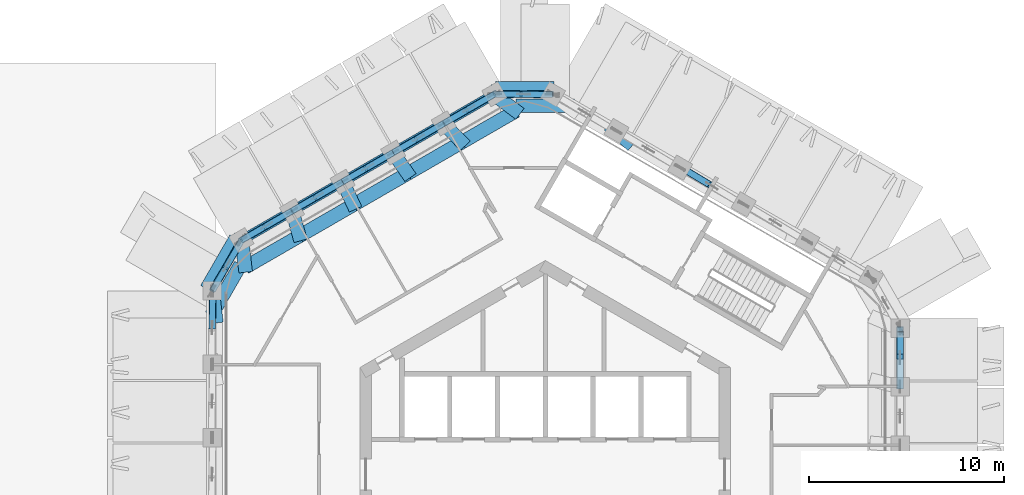
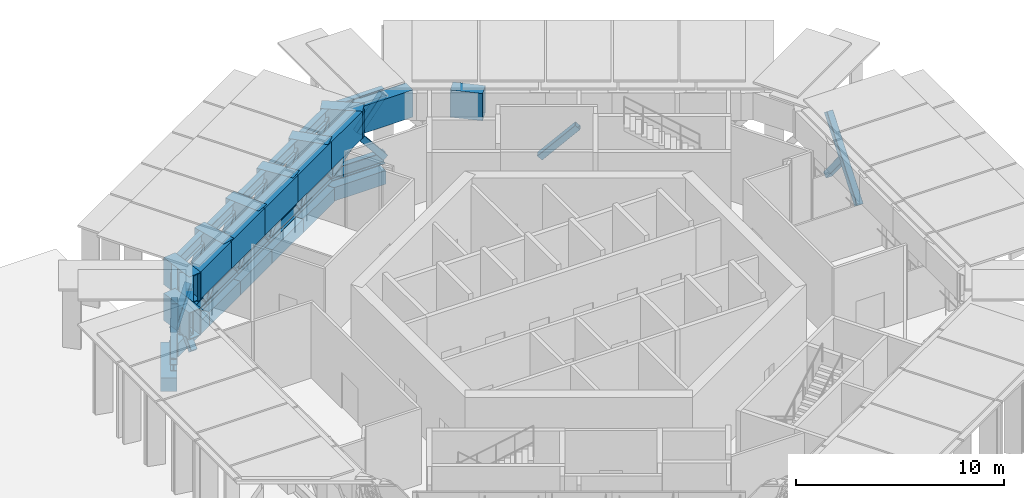
# One storey, part 4 of 15: 39 members, 22 beams.
"""IFC4 building model written with IfcOpenShell, lengths in metres."""

from ifc_helpers import new_model, si_unit, direction, frame, origin, origin_2d, place, context, subcontext, project, spatial, rectangle, hollow_rectangle, i_section, extrude, material, material_profile, profile_set, type_object, element, save


model = new_model("IFC4")

# Units and contexts
model_context = context("Model", 3, precision=1e-05, world=origin(), true_north=direction((0.0, 1.0)))
body_context = subcontext(model_context, "Body", "Model", "MODEL_VIEW")
ifc_project = project(units=[si_unit("LENGTHUNIT", "METRE"), si_unit("AREAUNIT", "SQUARE_METRE"), si_unit("VOLUMEUNIT", "CUBIC_METRE"), si_unit("PLANEANGLEUNIT", "RADIAN"), si_unit("MASSUNIT", "GRAM", prefix="KILO")], contexts=[model_context])

# Site, building, storey
site_placement = place(None, origin())
site = spatial("IfcSite", under=ifc_project, at=site_placement, CompositionType="ELEMENT")
building_placement = place(site_placement, origin())
building = spatial("IfcBuilding", under=site, at=building_placement, Name="Ayvan Gate Tower", CompositionType="ELEMENT")
storey_placement = place(building_placement, frame((0.0, 0.0, 214.10009765625)))
storey = spatial("IfcBuildingStorey", under=building, at=storey_placement, Name="L57", CompositionType="ELEMENT", Elevation=214.10009765625)

# Members
ifc_material_1 = material(Name="Steel S460NH", Category="steel")
ifc_material_profile_1 = material_profile(ifc_material_1, hollow_rectangle(XDim=0.35009765625, YDim=0.35009765625, WallThickness=0.01611328125, InnerFilletRadius=0.01611328125, OuterFilletRadius=0.02392578125, at=origin_2d()), Name="RHS 350x350x16")
ifc_profile_set_1 = profile_set([ifc_material_profile_1], Name="Steel S460NH")
member_type_1 = type_object("IfcMemberType", Name="Belt truss brace BT3 RHS 350x350x16", PredefinedType="BRACE", material=ifc_profile_set_1)
member_1_placement = place(storey_placement, frame((18.1865234375, 4.513916015625, 0.349853515625), z_axis=(0.0, 0.616185203455, 0.787601291926), x_axis=(-1.0, 0.0, 0.0)))
element("IfcMember", 1, at=member_1_placement, inside=storey, type_object=member_type_1, Name="BT3-DA-5", PredefinedType="BRACE", context=body_context, shape_type="SweptSolid", body=[
    extrude(hollow_rectangle(XDim=0.35009765625, YDim=0.35009765625, WallThickness=0.01611328125, InnerFilletRadius=0.01611328125, OuterFilletRadius=0.02392578125, at=origin_2d()), origin(), (0.0, 0.0, 1.0), 4.76123046875),
])
member_2_placement = place(storey_placement, frame((18.1865234375, 7.5234375, 0.349853515625), z_axis=(0.0, -0.631534263967, 0.77534796926), x_axis=(1.0, 0.0, 0.0)))
element("IfcMember", 2, at=member_2_placement, inside=storey, type_object=member_type_1, Name="BT3-DB-5", PredefinedType="BRACE", context=body_context, shape_type="SweptSolid", body=[
    extrude(hollow_rectangle(XDim=0.35009765625, YDim=0.35009765625, WallThickness=0.01611328125, InnerFilletRadius=0.01611328125, OuterFilletRadius=0.02392578125, at=origin_2d()), origin(), (0.0, 0.0, 1.0), 2.351318359375),
])
member_3_placement = place(storey_placement, frame((6.927978515625, 15.755615234375, 0.349853515625), z_axis=(0.607242891105, -0.364838503551, 0.705796668687), x_axis=(0.515007130116, 0.85718589345, 0.0)))
element("IfcMember", 3, at=member_3_placement, inside=storey, type_object=member_type_1, Name="BT3-DB-9", PredefinedType="BRACE", context=body_context, shape_type="SweptSolid", body=[
    extrude(hollow_rectangle(XDim=0.35009765625, YDim=0.35009765625, WallThickness=0.01611328125, InnerFilletRadius=0.01611328125, OuterFilletRadius=0.02392578125, at=origin_2d()), origin(), (0.0, 0.0, 1.0), 2.576416015625),
])
member_4_placement = place(storey_placement, frame((0.422119140625, 19.51171875, 0.349853515625), z_axis=(-0.632878048242, -0.007812686961, 0.774212075581), x_axis=(0.012343755257, -0.999923812951, 0.0)))
element("IfcMember", 4, at=member_4_placement, inside=storey, type_object=member_type_1, Name="BT3-DA-12", PredefinedType="BRACE", context=body_context, shape_type="SweptSolid", body=[
    extrude(hollow_rectangle(XDim=0.35009765625, YDim=0.35009765625, WallThickness=0.01611328125, InnerFilletRadius=0.01611328125, OuterFilletRadius=0.02392578125, at=origin_2d()), origin(), (0.0, 0.0, 1.0), 4.84375),
])
for number, where, z_axis, x_axis, name in (
    (5, (-2.577880859375, 19.51171875, 0.349853515625), (0.616283038234, -0.007955460907, 0.787484556945), (0.012907702566, 0.999916692137, 0.0), "BT3-DB-12"),
    (6, (-1.061767578125, 19.4921875, 2.287353515625), (0.616283038234, -0.007955460907, 0.787484556945), (0.012907702566, 0.999916692137, 0.0), "BT3-DC-12"),
):
    element("IfcMember", number, at=place(storey_placement, frame(where, z_axis=z_axis, x_axis=x_axis)), inside=storey, type_object=member_type_1, Name=name, PredefinedType="BRACE", context=body_context, shape_type="SweptSolid", body=[
        extrude(hollow_rectangle(XDim=0.35009765625, YDim=0.35009765625, WallThickness=0.01611328125, InnerFilletRadius=0.01611328125, OuterFilletRadius=0.02392578125, at=origin_2d()), origin(), (0.0, 0.0, 1.0), 2.301513671875),
    ])
member_5_placement = place(storey_placement, frame((-2.577880859375, 19.51171875, 0.349853515625), z_axis=(-0.54696167093, -0.315780012305, 0.775316654253), x_axis=(0.499989958791, -0.866031201001, 0.0)))
element("IfcMember", 7, at=member_5_placement, inside=storey, type_object=member_type_1, Name="BT3-DA-13", PredefinedType="BRACE", context=body_context, shape_type="SweptSolid", body=[
    extrude(hollow_rectangle(XDim=0.35009765625, YDim=0.35009765625, WallThickness=0.01611328125, InnerFilletRadius=0.01611328125, OuterFilletRadius=0.02392578125, at=origin_2d()), origin(), (0.0, 0.0, 1.0), 4.836669921875),
])
member_6_placement = place(storey_placement, frame((-5.18408203125, 18.007080078125, 0.349853515625), z_axis=(0.533601577849, 0.308066259047, 0.787632234075), x_axis=(-0.499989342298, 0.866031556924, 0.0)))
element("IfcMember", 8, at=member_6_placement, inside=storey, type_object=member_type_1, Name="BT3-DB-13", PredefinedType="BRACE", context=body_context, shape_type="SweptSolid", body=[
    extrude(hollow_rectangle(XDim=0.35009765625, YDim=0.35009765625, WallThickness=0.01611328125, InnerFilletRadius=0.01611328125, OuterFilletRadius=0.02392578125, at=origin_2d()), origin(), (0.0, 0.0, 1.0), 2.313232421875),
])
member_7_placement = place(storey_placement, frame((-3.86474609375, 18.7685546875, 2.296875), z_axis=(0.533580699209, 0.308118057169, 0.787626117062), x_axis=(-0.500067063991, 0.865986680909, 0.0)))
element("IfcMember", 9, at=member_7_placement, inside=storey, type_object=member_type_1, Name="BT3-DC-13", PredefinedType="BRACE", context=body_context, shape_type="SweptSolid", body=[
    extrude(hollow_rectangle(XDim=0.35009765625, YDim=0.35009765625, WallThickness=0.01611328125, InnerFilletRadius=0.01611328125, OuterFilletRadius=0.02392578125, at=origin_2d()), origin(), (0.0, 0.0, 1.0), 2.2890625),
])
member_8_placement = place(storey_placement, frame((-5.18408203125, 18.007080078125, 0.349853515625), z_axis=(-0.543662068796, -0.313892883494, 0.778397592907), x_axis=(0.500011280007, -0.866018891171, 0.0)))
element("IfcMember", 10, at=member_8_placement, inside=storey, type_object=member_type_1, Name="BT3-DA-14", PredefinedType="BRACE", context=body_context, shape_type="SweptSolid", body=[
    extrude(hollow_rectangle(XDim=0.35009765625, YDim=0.35009765625, WallThickness=0.01611328125, InnerFilletRadius=0.01611328125, OuterFilletRadius=0.02392578125, at=origin_2d()), origin(), (0.0, 0.0, 1.0), 4.817626953125),
])
member_9_placement = place(storey_placement, frame((-7.790283203125, 16.50244140625, 0.349853515625), z_axis=(0.537017146838, 0.309975252696, 0.784555878646), x_axis=(-0.499913221443, 0.866075499611, 0.0)))
element("IfcMember", 11, at=member_9_placement, inside=storey, type_object=member_type_1, Name="BT3-DB-14", PredefinedType="BRACE", context=body_context, shape_type="SweptSolid", body=[
    extrude(hollow_rectangle(XDim=0.35009765625, YDim=0.35009765625, WallThickness=0.01611328125, InnerFilletRadius=0.01611328125, OuterFilletRadius=0.02392578125, at=origin_2d()), origin(), (0.0, 0.0, 1.0), 2.32275390625),
])
member_10_placement = place(storey_placement, frame((-6.45751953125, 17.271728515625, 2.296630859375), z_axis=(0.536956568849, 0.310064535009, 0.784562060834), x_axis=(-0.500063520245, 0.865988727248, 0.0)))
element("IfcMember", 12, at=member_10_placement, inside=storey, type_object=member_type_1, Name="BT3-DC-14", PredefinedType="BRACE", context=body_context, shape_type="SweptSolid", body=[
    extrude(hollow_rectangle(XDim=0.35009765625, YDim=0.35009765625, WallThickness=0.01611328125, InnerFilletRadius=0.01611328125, OuterFilletRadius=0.02392578125, at=origin_2d()), origin(), (0.0, 0.0, 1.0), 2.29833984375),
])
member_11_placement = place(storey_placement, frame((-7.790283203125, 16.50244140625, 0.349853515625), z_axis=(-0.540350492875, -0.312020485152, 0.78145029381), x_axis=(0.50005887527, -0.865991409463, 0.0)))
element("IfcMember", 13, at=member_11_placement, inside=storey, type_object=member_type_1, Name="BT3-DA-15", PredefinedType="BRACE", context=body_context, shape_type="SweptSolid", body=[
    extrude(hollow_rectangle(XDim=0.35009765625, YDim=0.35009765625, WallThickness=0.01611328125, InnerFilletRadius=0.01611328125, OuterFilletRadius=0.02392578125, at=origin_2d()), origin(), (0.0, 0.0, 1.0), 4.798828125),
])
member_12_placement = place(storey_placement, frame((-10.396240234375, 14.99755859375, 0.349853515625), z_axis=(0.540300241283, 0.311973400314, 0.781503836693), x_axis=(-0.500037157592, 0.866003949776, 0.0)))
element("IfcMember", 14, at=member_12_placement, inside=storey, type_object=member_type_1, Name="BT3-DB-15", PredefinedType="BRACE", context=body_context, shape_type="SweptSolid", body=[
    extrude(hollow_rectangle(XDim=0.35009765625, YDim=0.35009765625, WallThickness=0.01611328125, InnerFilletRadius=0.01611328125, OuterFilletRadius=0.02392578125, at=origin_2d()), origin(), (0.0, 0.0, 1.0), 2.33203125),
])
member_13_placement = place(storey_placement, frame((-9.05029296875, 15.77490234375, 2.29638671875), z_axis=(0.540367158358, 0.311969998042, 0.781458926937), x_axis=(-0.499986626058, 0.866033125095, 0.0)))
element("IfcMember", 15, at=member_13_placement, inside=storey, type_object=member_type_1, Name="BT3-DC-15", PredefinedType="BRACE", context=body_context, shape_type="SweptSolid", body=[
    extrude(hollow_rectangle(XDim=0.35009765625, YDim=0.35009765625, WallThickness=0.01611328125, InnerFilletRadius=0.01611328125, OuterFilletRadius=0.02392578125, at=origin_2d()), origin(), (0.0, 0.0, 1.0), 2.307861328125),
])
member_14_placement = place(storey_placement, frame((-10.396240234375, 14.99755859375, 0.349853515625), z_axis=(-0.537016922782, -0.310033547773, 0.784532997331), x_axis=(0.499983892715, -0.86603470313, 0.0)))
element("IfcMember", 16, at=member_14_placement, inside=storey, type_object=member_type_1, Name="BT3-DA-16", PredefinedType="BRACE", context=body_context, shape_type="SweptSolid", body=[
    extrude(hollow_rectangle(XDim=0.35009765625, YDim=0.35009765625, WallThickness=0.01611328125, InnerFilletRadius=0.01611328125, OuterFilletRadius=0.02392578125, at=origin_2d()), origin(), (0.0, 0.0, 1.0), 4.780029296875),
])
member_15_placement = place(storey_placement, frame((-13.00244140625, 13.492919921875, 0.349853515625), z_axis=(0.54361754326, 0.313930269036, 0.778413612961), x_axis=(-0.500086656873, 0.865975366634, 0.0)))
element("IfcMember", 17, at=member_15_placement, inside=storey, type_object=member_type_1, Name="BT3-DB-16", PredefinedType="BRACE", context=body_context, shape_type="SweptSolid", body=[
    extrude(hollow_rectangle(XDim=0.35009765625, YDim=0.35009765625, WallThickness=0.01611328125, InnerFilletRadius=0.01611328125, OuterFilletRadius=0.02392578125, at=origin_2d()), origin(), (0.0, 0.0, 1.0), 2.341552734375),
])
member_16_placement = place(storey_placement, frame((-11.64306640625, 14.27783203125, 2.296142578125), z_axis=(0.543662379424, 0.313870199284, 0.778406523098), x_axis=(-0.49998396455, 0.866034661658, 0.0)))
element("IfcMember", 18, at=member_16_placement, inside=storey, type_object=member_type_1, Name="BT3-DC-16", PredefinedType="BRACE", context=body_context, shape_type="SweptSolid", body=[
    extrude(hollow_rectangle(XDim=0.35009765625, YDim=0.35009765625, WallThickness=0.01611328125, InnerFilletRadius=0.01611328125, OuterFilletRadius=0.02392578125, at=origin_2d()), origin(), (0.0, 0.0, 1.0), 2.317138671875),
])
member_17_placement = place(storey_placement, frame((-13.00244140625, 13.492919921875, 0.349853515625), z_axis=(-0.533635254222, -0.308069626921, 0.787608100784), x_axis=(0.499969776107, -0.866042852854, 0.0)))
element("IfcMember", 19, at=member_17_placement, inside=storey, type_object=member_type_1, Name="BT3-DA-17", PredefinedType="BRACE", context=body_context, shape_type="SweptSolid", body=[
    extrude(hollow_rectangle(XDim=0.35009765625, YDim=0.35009765625, WallThickness=0.01611328125, InnerFilletRadius=0.01611328125, OuterFilletRadius=0.02392578125, at=origin_2d()), origin(), (0.0, 0.0, 1.0), 4.76123046875),
])
member_18_placement = place(storey_placement, frame((-15.608642578125, 11.98828125, 0.349853515625), z_axis=(0.546912598104, 0.315770117873, 0.775355300939), x_axis=(-0.500011854745, 0.866018559336, 0.0)))
element("IfcMember", 20, at=member_18_placement, inside=storey, type_object=member_type_1, Name="BT3-DB-17", PredefinedType="BRACE", context=body_context, shape_type="SweptSolid", body=[
    extrude(hollow_rectangle(XDim=0.35009765625, YDim=0.35009765625, WallThickness=0.01611328125, InnerFilletRadius=0.01611328125, OuterFilletRadius=0.02392578125, at=origin_2d()), origin(), (0.0, 0.0, 1.0), 2.35107421875),
])
member_19_placement = place(storey_placement, frame((-14.23583984375, 12.781005859375, 2.2958984375), z_axis=(0.546991764358, 0.31572956435, 0.775315969086), x_axis=(-0.49990941631, 0.866077695986, 0.0)))
element("IfcMember", 21, at=member_19_placement, inside=storey, type_object=member_type_1, Name="BT3-DC-17", PredefinedType="BRACE", context=body_context, shape_type="SweptSolid", body=[
    extrude(hollow_rectangle(XDim=0.35009765625, YDim=0.35009765625, WallThickness=0.01611328125, InnerFilletRadius=0.01611328125, OuterFilletRadius=0.02392578125, at=origin_2d()), origin(), (0.0, 0.0, 1.0), 2.32666015625),
])
member_20_placement = place(storey_placement, frame((-15.608642578125, 11.98828125, 0.349853515625), z_axis=(-0.301260395949, -0.537664699169, 0.787501647681), x_axis=(0.872389670264, -0.488811071086, 0.0)))
element("IfcMember", 22, at=member_20_placement, inside=storey, type_object=member_type_1, Name="BT3-DA-18", PredefinedType="BRACE", context=body_context, shape_type="SweptSolid", body=[
    extrude(hollow_rectangle(XDim=0.35009765625, YDim=0.35009765625, WallThickness=0.01611328125, InnerFilletRadius=0.01611328125, OuterFilletRadius=0.02392578125, at=origin_2d()), origin(), (0.0, 0.0, 1.0), 4.761962890625),
])
member_21_placement = place(storey_placement, frame((-17.108642578125, 9.39013671875, 0.349853515625), z_axis=(0.323195051772, 0.544251712465, 0.774167315242), x_axis=(-0.859823119115, 0.510592013094, 0.0)))
element("IfcMember", 23, at=member_21_placement, inside=storey, type_object=member_type_1, Name="BT3-DB-18", PredefinedType="BRACE", context=body_context, shape_type="SweptSolid", body=[
    extrude(hollow_rectangle(XDim=0.35009765625, YDim=0.35009765625, WallThickness=0.01611328125, InnerFilletRadius=0.01611328125, OuterFilletRadius=0.02392578125, at=origin_2d()), origin(), (0.0, 0.0, 1.0), 2.342529296875),
])
member_22_placement = place(storey_placement, frame((-16.30029296875, 10.75146484375, 2.286376953125), z_axis=(0.323213384319, 0.544178355218, 0.774211228225), x_axis=(-0.859780184011, 0.510664307722, 0.0)))
element("IfcMember", 24, at=member_22_placement, inside=storey, type_object=member_type_1, Name="BT3-DC-18", PredefinedType="BRACE", context=body_context, shape_type="SweptSolid", body=[
    extrude(hollow_rectangle(XDim=0.35009765625, YDim=0.35009765625, WallThickness=0.01611328125, InnerFilletRadius=0.01611328125, OuterFilletRadius=0.02392578125, at=origin_2d()), origin(), (0.0, 0.0, 1.0), 2.34228515625),
])
member_23_placement = place(storey_placement, frame((-17.0751953125, 7.58056640625, 2.27392578125), z_axis=(0.012311894624, 0.711176386408, 0.702905800706), x_axis=(-0.999850180784, 0.017309419014, 0.0)))
element("IfcMember", 25, at=member_23_placement, inside=storey, type_object=member_type_1, Name="BT3-DC-19", PredefinedType="BRACE", context=body_context, shape_type="SweptSolid", body=[
    extrude(hollow_rectangle(XDim=0.35009765625, YDim=0.35009765625, WallThickness=0.01611328125, InnerFilletRadius=0.01611328125, OuterFilletRadius=0.02392578125, at=origin_2d()), origin(), (0.0, 0.0, 1.0), 2.59765625),
])
ifc_material_2 = material(Name="Steel S460ML", Category="steel")
ifc_material_profile_2 = material_profile(ifc_material_2, i_section(OverallWidth=0.300048828125, OverallDepth=0.699951171875, WebThickness=0.01708984375, FlangeThickness=0.031982421875, FilletRadius=0.027099609375, at=origin_2d()), Name="HE 700 B")
ifc_profile_set_2 = profile_set([ifc_material_profile_2], Name="Steel S460ML")
member_type_2 = type_object("IfcMemberType", Name="Belt truss chord BT3 HE 700 B", PredefinedType="CHORD", material=ifc_profile_set_2)
for number, where, z_axis, x_axis, name in (
    (26, (0.422119140625, 19.51171875, 0.349853515625), (-1.0, 0.0, 0.0), (0.0, -1.0, 0.0), "BT3-BC-12"),
    (27, (0.356689453125, 19.473876953125, 4.099853515625), (-1.0, 0.0, 0.0), (0.0, -1.0, 0.0), "BT3-TC-12"),
):
    element("IfcMember", number, at=place(storey_placement, frame(where, z_axis=z_axis, x_axis=x_axis)), inside=storey, type_object=member_type_2, Name=name, PredefinedType="CHORD", context=body_context, shape_type="SweptSolid", body=[
        extrude(i_section(OverallWidth=0.300048828125, OverallDepth=0.699951171875, WebThickness=0.01708984375, FlangeThickness=0.031982421875, FilletRadius=0.027099609375, at=origin_2d()), origin(), (0.0, 0.0, 1.0), 3.0),
    ])
member_24_placement = place(storey_placement, frame((-2.577880859375, 19.51171875, 0.349853515625), z_axis=(-0.866032925658, -0.499986971506, 0.0), x_axis=(0.499986971506, -0.866032925658, 0.0)))
element("IfcMember", 28, at=member_24_placement, inside=storey, type_object=member_type_2, Name="BT3-BC-13", PredefinedType="CHORD", context=body_context, shape_type="SweptSolid", body=[
    extrude(i_section(OverallWidth=0.300048828125, OverallDepth=0.699951171875, WebThickness=0.01708984375, FlangeThickness=0.031982421875, FilletRadius=0.027099609375, at=origin_2d()), origin(), (0.0, 0.0, 1.0), 3.00927734375),
])
member_25_placement = place(storey_placement, frame((-2.643310546875, 19.473876953125, 4.099853515625), z_axis=(-0.866040933244, -0.499973101223, 0.0), x_axis=(0.499973101223, -0.866040933244, 0.0)))
element("IfcMember", 29, at=member_25_placement, inside=storey, type_object=member_type_2, Name="BT3-TC-13", PredefinedType="CHORD", context=body_context, shape_type="SweptSolid", body=[
    extrude(i_section(OverallWidth=0.300048828125, OverallDepth=0.699951171875, WebThickness=0.01708984375, FlangeThickness=0.031982421875, FilletRadius=0.027099609375, at=origin_2d()), origin(), (0.0, 0.0, 1.0), 2.979248046875),
])
member_26_placement = place(storey_placement, frame((-5.18408203125, 18.007080078125, 0.349853515625), z_axis=(-0.866032925658, -0.499986971506, 0.0), x_axis=(0.499986971506, -0.866032925658, 0.0)))
element("IfcMember", 30, at=member_26_placement, inside=storey, type_object=member_type_2, Name="BT3-BC-14", PredefinedType="CHORD", context=body_context, shape_type="SweptSolid", body=[
    extrude(i_section(OverallWidth=0.300048828125, OverallDepth=0.699951171875, WebThickness=0.01708984375, FlangeThickness=0.031982421875, FilletRadius=0.027099609375, at=origin_2d()), origin(), (0.0, 0.0, 1.0), 3.00927734375),
])
member_27_placement = place(storey_placement, frame((-5.223388671875, 17.984375, 4.099853515625), z_axis=(-0.866020445925, -0.500008587166, 0.0), x_axis=(0.500008587166, -0.866020445925, 0.0)))
element("IfcMember", 31, at=member_27_placement, inside=storey, type_object=member_type_2, Name="BT3-TC-14", PredefinedType="CHORD", context=body_context, shape_type="SweptSolid", body=[
    extrude(i_section(OverallWidth=0.300048828125, OverallDepth=0.699951171875, WebThickness=0.01708984375, FlangeThickness=0.031982421875, FilletRadius=0.027099609375, at=origin_2d()), origin(), (0.0, 0.0, 1.0), 2.97900390625),
])
member_28_placement = place(storey_placement, frame((-7.790283203125, 16.50244140625, 0.349853515625), z_axis=(-0.865977509449, -0.500082946248, 0.0), x_axis=(0.500082946248, -0.865977509449, 0.0)))
element("IfcMember", 32, at=member_28_placement, inside=storey, type_object=member_type_2, Name="BT3-BC-15", PredefinedType="CHORD", context=body_context, shape_type="SweptSolid", body=[
    extrude(i_section(OverallWidth=0.300048828125, OverallDepth=0.699951171875, WebThickness=0.01708984375, FlangeThickness=0.031982421875, FilletRadius=0.027099609375, at=origin_2d()), origin(), (0.0, 0.0, 1.0), 3.00927734375),
])
member_29_placement = place(storey_placement, frame((-7.80322265625, 16.494873046875, 4.099853515625), z_axis=(-0.866005448672, -0.500034561676, 0.0), x_axis=(0.500034561676, -0.866005448672, 0.0)))
element("IfcMember", 33, at=member_29_placement, inside=storey, type_object=member_type_2, Name="BT3-TC-15", PredefinedType="CHORD", context=body_context, shape_type="SweptSolid", body=[
    extrude(i_section(OverallWidth=0.300048828125, OverallDepth=0.699951171875, WebThickness=0.01708984375, FlangeThickness=0.031982421875, FilletRadius=0.027099609375, at=origin_2d()), origin(), (0.0, 0.0, 1.0), 2.979248046875),
])
member_30_placement = place(storey_placement, frame((-10.396240234375, 14.99755859375, 0.349853515625), z_axis=(-0.866032925658, -0.499986971506, 0.0), x_axis=(0.499986971506, -0.866032925658, 0.0)))
element("IfcMember", 34, at=member_30_placement, inside=storey, type_object=member_type_2, Name="BT3-BC-16", PredefinedType="CHORD", context=body_context, shape_type="SweptSolid", body=[
    extrude(i_section(OverallWidth=0.300048828125, OverallDepth=0.699951171875, WebThickness=0.01708984375, FlangeThickness=0.031982421875, FilletRadius=0.027099609375, at=origin_2d()), origin(), (0.0, 0.0, 1.0), 3.00927734375),
])
member_31_placement = place(storey_placement, frame((-10.38330078125, 15.005126953125, 4.099853515625), z_axis=(-0.866020445925, -0.500008587166, 0.0), x_axis=(0.500008587166, -0.866020445925, 0.0)))
element("IfcMember", 35, at=member_31_placement, inside=storey, type_object=member_type_2, Name="BT3-TC-16", PredefinedType="CHORD", context=body_context, shape_type="SweptSolid", body=[
    extrude(i_section(OverallWidth=0.300048828125, OverallDepth=0.699951171875, WebThickness=0.01708984375, FlangeThickness=0.031982421875, FilletRadius=0.027099609375, at=origin_2d()), origin(), (0.0, 0.0, 1.0), 2.97900390625),
])
member_32_placement = place(storey_placement, frame((-13.00244140625, 13.492919921875, 0.349853515625), z_axis=(-0.866032925658, -0.499986971506, 0.0), x_axis=(0.499986971506, -0.866032925658, 0.0)))
element("IfcMember", 36, at=member_32_placement, inside=storey, type_object=member_type_2, Name="BT3-BC-17", PredefinedType="CHORD", context=body_context, shape_type="SweptSolid", body=[
    extrude(i_section(OverallWidth=0.300048828125, OverallDepth=0.699951171875, WebThickness=0.01708984375, FlangeThickness=0.031982421875, FilletRadius=0.027099609375, at=origin_2d()), origin(), (0.0, 0.0, 1.0), 3.00927734375),
])
member_33_placement = place(storey_placement, frame((-12.963134765625, 13.515625, 4.099853515625), z_axis=(-0.866040933244, -0.499973101223, 0.0), x_axis=(0.499973101223, -0.866040933244, 0.0)))
element("IfcMember", 37, at=member_33_placement, inside=storey, type_object=member_type_2, Name="BT3-TC-17", PredefinedType="CHORD", context=body_context, shape_type="SweptSolid", body=[
    extrude(i_section(OverallWidth=0.300048828125, OverallDepth=0.699951171875, WebThickness=0.01708984375, FlangeThickness=0.031982421875, FilletRadius=0.027099609375, at=origin_2d()), origin(), (0.0, 0.0, 1.0), 2.979248046875),
])
for number, where, z_axis, x_axis, name in (
    (38, (-15.608642578125, 11.98828125, 0.349853515625), (-0.499990139034, -0.866031096941, 0.0), (0.866031096941, -0.499990139034, 0.0), "BT3-BC-18"),
    (39, (-15.543212890625, 12.026123046875, 4.099853515625), (-0.499990139034, -0.866031096941, 0.0), (0.866031096941, -0.499990139034, 0.0), "BT3-TC-18"),
):
    element("IfcMember", number, at=place(storey_placement, frame(where, z_axis=z_axis, x_axis=x_axis)), inside=storey, type_object=member_type_2, Name=name, PredefinedType="CHORD", context=body_context, shape_type="SweptSolid", body=[
        extrude(i_section(OverallWidth=0.300048828125, OverallDepth=0.699951171875, WebThickness=0.01708984375, FlangeThickness=0.031982421875, FilletRadius=0.027099609375, at=origin_2d()), origin(), (0.0, 0.0, 1.0), 3.0),
    ])

# Beams
ifc_material_3 = material(Name="Concrete C40/50", Category="concrete")
ifc_material_profile_3 = material_profile(ifc_material_3, rectangle(XDim=0.800048828125, YDim=0.800048828125, at=origin_2d()), Name="RC 800x800")
ifc_profile_set_3 = profile_set([ifc_material_profile_3], Name="Concrete C40/50")
beam_type_1 = type_object("IfcBeamType", Name="Corner spandrel beam RC 800x800 C40/50", PredefinedType="BEAM", material=ifc_profile_set_3)
beam_1_placement = place(storey_placement, frame((0.442138671875, 19.7431640625, -0.800048828125), z_axis=(-1.0, 0.0, 0.0), x_axis=(0.0, -1.0, 0.0)))
element("IfcBeam", 40, at=beam_1_placement, inside=storey, type_object=beam_type_1, Name="SB-L57-12", PredefinedType="BEAM", context=body_context, shape_type="SweptSolid", body=[
    extrude(rectangle(XDim=0.800048828125, YDim=0.800048828125, at=origin_2d()), origin(), (0.0, 0.0, 1.0), 3.0),
])
beam_2_placement = place(storey_placement, frame((-15.8193359375, 12.086669921875, -0.800048828125), z_axis=(-0.50002537861, -0.866010750942, 0.0), x_axis=(0.866010750942, -0.50002537861, 0.0)))
element("IfcBeam", 41, at=beam_2_placement, inside=storey, type_object=beam_type_1, Name="SB-L57-18", PredefinedType="BEAM", context=body_context, shape_type="SweptSolid", body=[
    extrude(rectangle(XDim=0.800048828125, YDim=0.800048828125, at=origin_2d()), origin(), (0.0, 0.0, 1.0), 2.999755859375),
])
ifc_material_profile_4 = material_profile(ifc_material_3, rectangle(XDim=0.5, YDim=0.800048828125, at=origin_2d()), Name="RC 500x800")
ifc_profile_set_4 = profile_set([ifc_material_profile_4], Name="Concrete C40/50")
beam_type_2 = type_object("IfcBeamType", Name="Spandrel beam RC 500x800 C40/50", PredefinedType="BEAM", material=ifc_profile_set_4)
for number, where, z_axis, x_axis, name in (
    (42, (-2.557861328125, 19.523193359375, -0.800048828125), (-0.866014522945, -0.500018845694, 0.0), (0.500018845694, -0.866014522945, 0.0), "SB-L57-13"),
    (43, (-5.171875, 18.013916015625, -0.800048828125), (-0.8660347431, -0.499983823482, 0.0), (0.499983823482, -0.8660347431, 0.0), "SB-L57-14"),
    (44, (-7.7861328125, 16.504638671875, -0.800048828125), (-0.8660347431, -0.499983823482, 0.0), (0.499983823482, -0.8660347431, 0.0), "SB-L57-15"),
    (45, (-10.400390625, 14.995361328125, -0.800048828125), (-0.8660347431, -0.499983823482, 0.0), (0.499983823482, -0.8660347431, 0.0), "SB-L57-16"),
    (46, (-13.0146484375, 13.486083984375, -0.800048828125), (-0.866014522945, -0.500018845694, 0.0), (0.500018845694, -0.866014522945, 0.0), "SB-L57-17"),
):
    element("IfcBeam", number, at=place(storey_placement, frame(where, z_axis=z_axis, x_axis=x_axis)), inside=storey, type_object=beam_type_2, Name=name, PredefinedType="BEAM", context=body_context, shape_type="SweptSolid", body=[
        extrude(rectangle(XDim=0.5, YDim=0.800048828125, at=origin_2d()), origin(), (0.0, 0.0, 1.0), 3.0185546875),
    ])
ifc_material_profile_5 = material_profile(ifc_material_2, hollow_rectangle(XDim=0.699951171875, YDim=1.60009765625, WallThickness=0.044921875, at=origin_2d()), Name="BOX 700x1600x45")
ifc_profile_set_5 = profile_set([ifc_material_profile_5], Name="Steel S460ML")
beam_type_3 = type_object("IfcBeamType", Name="Transfer ring girder BOX 700x1600x45", PredefinedType="BEAM", material=ifc_profile_set_5)
beam_3_placement = place(storey_placement, frame((1.5, 18.904052734375, 3.64990234375), z_axis=(-1.0, 0.0, 0.0), x_axis=(0.0, -1.0, 0.0)))
element("IfcBeam", 47, at=beam_3_placement, inside=storey, type_object=beam_type_3, Name="TR-L57-12", PredefinedType="BEAM", context=body_context, shape_type="SweptSolid", body=[
    extrude(hollow_rectangle(XDim=0.699951171875, YDim=1.60009765625, WallThickness=0.044921875, at=origin_2d()), origin(), (0.0, 0.0, 1.0), 3.0),
])
beam_4_placement = place(storey_placement, frame((-1.5, 18.634033203125, 3.64990234375), z_axis=(-0.866009384889, -0.500027744514, 0.0), x_axis=(0.500027744514, -0.866009384889, 0.0)))
element("IfcBeam", 48, at=beam_4_placement, inside=storey, type_object=beam_type_3, Name="TR-L57-13", PredefinedType="BEAM", context=body_context, shape_type="SweptSolid", body=[
    extrude(hollow_rectangle(XDim=0.699951171875, YDim=1.60009765625, WallThickness=0.044921875, at=origin_2d()), origin(), (0.0, 0.0, 1.0), 3.207275390625),
])
beam_5_placement = place(storey_placement, frame((-4.277587890625, 17.0302734375, 3.64990234375), z_axis=(-0.866023315909, -0.500003616288, 0.0), x_axis=(0.500003616288, -0.866023315909, 0.0)))
element("IfcBeam", 49, at=beam_5_placement, inside=storey, type_object=beam_type_3, Name="TR-L57-14", PredefinedType="BEAM", context=body_context, shape_type="SweptSolid", body=[
    extrude(hollow_rectangle(XDim=0.699951171875, YDim=1.60009765625, WallThickness=0.044921875, at=origin_2d()), origin(), (0.0, 0.0, 1.0), 3.20703125),
])
for number, where, z_axis, x_axis, name in (
    (50, (-7.054931640625, 15.4267578125, 3.64990234375), (-0.866042346109, -0.499970653885, 0.0), (0.499970653885, -0.866042346109, 0.0), "TR-L57-15"),
    (51, (-9.83251953125, 13.8232421875, 3.64990234375), (-0.866042346109, -0.499970653885, 0.0), (0.499970653885, -0.866042346109, 0.0), "TR-L57-16"),
):
    element("IfcBeam", number, at=place(storey_placement, frame(where, z_axis=z_axis, x_axis=x_axis)), inside=storey, type_object=beam_type_3, Name=name, PredefinedType="BEAM", context=body_context, shape_type="SweptSolid", body=[
        extrude(hollow_rectangle(XDim=0.699951171875, YDim=1.60009765625, WallThickness=0.044921875, at=origin_2d()), origin(), (0.0, 0.0, 1.0), 3.207275390625),
    ])
beam_6_placement = place(storey_placement, frame((-12.610107421875, 12.2197265625, 3.64990234375), z_axis=(-0.865990351068, -0.500060708172, 0.0), x_axis=(0.500060708172, -0.865990351068, 0.0)))
element("IfcBeam", 52, at=beam_6_placement, inside=storey, type_object=beam_type_3, Name="TR-L57-17", PredefinedType="BEAM", context=body_context, shape_type="SweptSolid", body=[
    extrude(hollow_rectangle(XDim=0.699951171875, YDim=1.60009765625, WallThickness=0.044921875, at=origin_2d()), origin(), (0.0, 0.0, 1.0), 3.20703125),
])
beam_7_placement = place(storey_placement, frame((-15.621337890625, 10.7509765625, 3.64990234375), z_axis=(-0.499990139034, -0.866031096941, 0.0), x_axis=(0.866031096941, -0.499990139034, 0.0)))
element("IfcBeam", 53, at=beam_7_placement, inside=storey, type_object=beam_type_3, Name="TR-L57-18", PredefinedType="BEAM", context=body_context, shape_type="SweptSolid", body=[
    extrude(hollow_rectangle(XDim=0.699951171875, YDim=1.60009765625, WallThickness=0.044921875, at=origin_2d()), origin(), (0.0, 0.0, 1.0), 3.0),
])
beam_8_placement = place(storey_placement, frame((3.258544921875, 17.915283203125, 3.64990234375), z_axis=(0.755039083596, -0.655679786361, 0.0), x_axis=(0.655679786361, 0.755039083596, 0.0)))
element("IfcBeam", 54, at=beam_8_placement, inside=storey, type_object=beam_type_3, Name="TS-L57-T1-4", PredefinedType="BEAM", context=body_context, shape_type="SweptSolid", body=[
    extrude(hollow_rectangle(XDim=0.699951171875, YDim=1.60009765625, WallThickness=0.044921875, at=origin_2d()), origin(), (0.0, 0.0, 1.0), 1.599609375),
])
beam_9_placement = place(storey_placement, frame((-2.956298828125, 19.717041015625, 3.64990234375), z_axis=(0.802447824371, -0.596722288139, 0.0), x_axis=(0.596722288139, 0.802447824371, 0.0)))
element("IfcBeam", 55, at=beam_9_placement, inside=storey, type_object=beam_type_3, Name="TS-L57-T2-0", PredefinedType="BEAM", context=body_context, shape_type="SweptSolid", body=[
    extrude(hollow_rectangle(XDim=0.699951171875, YDim=1.60009765625, WallThickness=0.044921875, at=origin_2d()), origin(), (0.0, 0.0, 1.0), 2.06494140625),
])
beam_10_placement = place(storey_placement, frame((-5.4990234375, 18.272216796875, 3.64990234375), z_axis=(0.701199146567, -0.712965466803, 0.0), x_axis=(0.712965466803, 0.701199146567, 0.0)))
element("IfcBeam", 56, at=beam_10_placement, inside=storey, type_object=beam_type_3, Name="TS-L57-T2-1", PredefinedType="BEAM", context=body_context, shape_type="SweptSolid", body=[
    extrude(hollow_rectangle(XDim=0.699951171875, YDim=1.60009765625, WallThickness=0.044921875, at=origin_2d()), origin(), (0.0, 0.0, 1.0), 1.991943359375),
])
beam_11_placement = place(storey_placement, frame((-8.03076171875, 16.823486328125, 3.64990234375), z_axis=(0.572707288435, -0.819759941552, 0.0), x_axis=(0.819759941552, 0.572707288435, 0.0)))
element("IfcBeam", 57, at=beam_11_placement, inside=storey, type_object=beam_type_3, Name="TS-L57-T2-2", PredefinedType="BEAM", context=body_context, shape_type="SweptSolid", body=[
    extrude(hollow_rectangle(XDim=0.699951171875, YDim=1.60009765625, WallThickness=0.044921875, at=origin_2d()), origin(), (0.0, 0.0, 1.0), 1.95361328125),
])
beam_12_placement = place(storey_placement, frame((-10.55419921875, 15.36669921875, 3.64990234375), z_axis=(0.423569359714, -0.905863674905, 0.0), x_axis=(0.905863674905, 0.423569359714, 0.0)))
element("IfcBeam", 58, at=beam_12_placement, inside=storey, type_object=beam_type_3, Name="TS-L57-T2-3", PredefinedType="BEAM", context=body_context, shape_type="SweptSolid", body=[
    extrude(hollow_rectangle(XDim=0.699951171875, YDim=1.60009765625, WallThickness=0.044921875, at=origin_2d()), origin(), (0.0, 0.0, 1.0), 1.953857421875),
])
beam_13_placement = place(storey_placement, frame((-13.07470703125, 13.8984375, 3.64990234375), z_axis=(0.266828293704, -0.963744085159, 0.0), x_axis=(0.963744085159, 0.266828293704, 0.0)))
element("IfcBeam", 59, at=beam_13_placement, inside=storey, type_object=beam_type_3, Name="TS-L57-T2-4", PredefinedType="BEAM", context=body_context, shape_type="SweptSolid", body=[
    extrude(hollow_rectangle(XDim=0.699951171875, YDim=1.60009765625, WallThickness=0.044921875, at=origin_2d()), origin(), (0.0, 0.0, 1.0), 1.991943359375),
])
for number, where, z_axis, x_axis, name in (
    (60, (-15.597412109375, 12.4189453125, 3.64990234375), (0.115620213946, -0.993293494455, 0.0), (0.993293494455, 0.115620213946, 0.0), "TS-L57-T2-5"),
    (61, (-17.097412109375, 9.82080078125, 3.64990234375), (0.115620213946, -0.993293494455, 0.0), (0.993293494455, 0.115620213946, 0.0), "TS-L57-T3-0"),
):
    element("IfcBeam", number, at=place(storey_placement, frame(where, z_axis=z_axis, x_axis=x_axis)), inside=storey, type_object=beam_type_3, Name=name, PredefinedType="BEAM", context=body_context, shape_type="SweptSolid", body=[
        extrude(hollow_rectangle(XDim=0.699951171875, YDim=1.60009765625, WallThickness=0.044921875, at=origin_2d()), origin(), (0.0, 0.0, 1.0), 2.065185546875),
    ])

save(model, "model.ifc")
